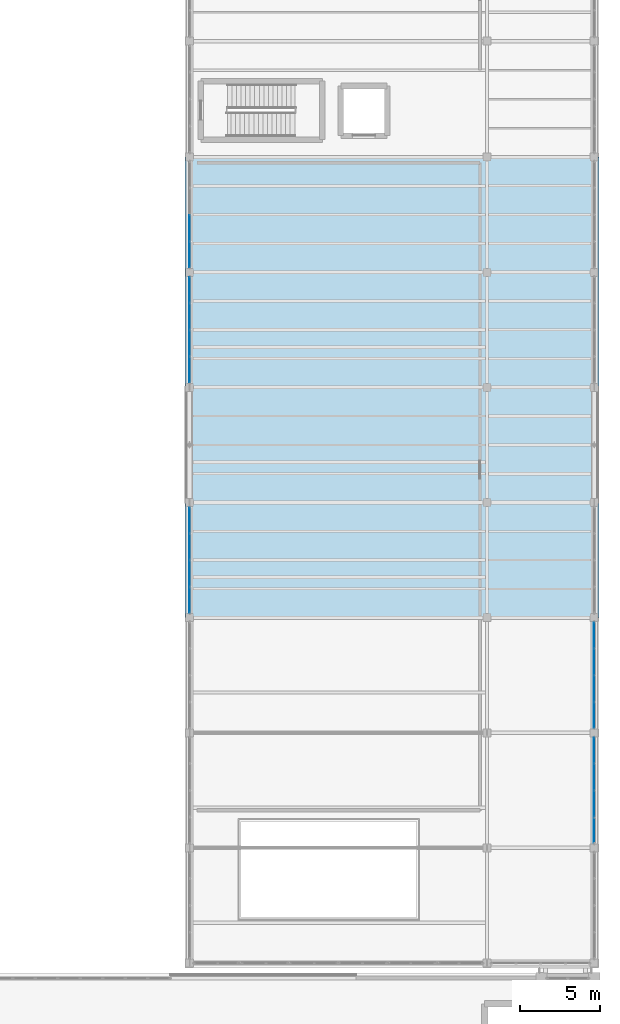
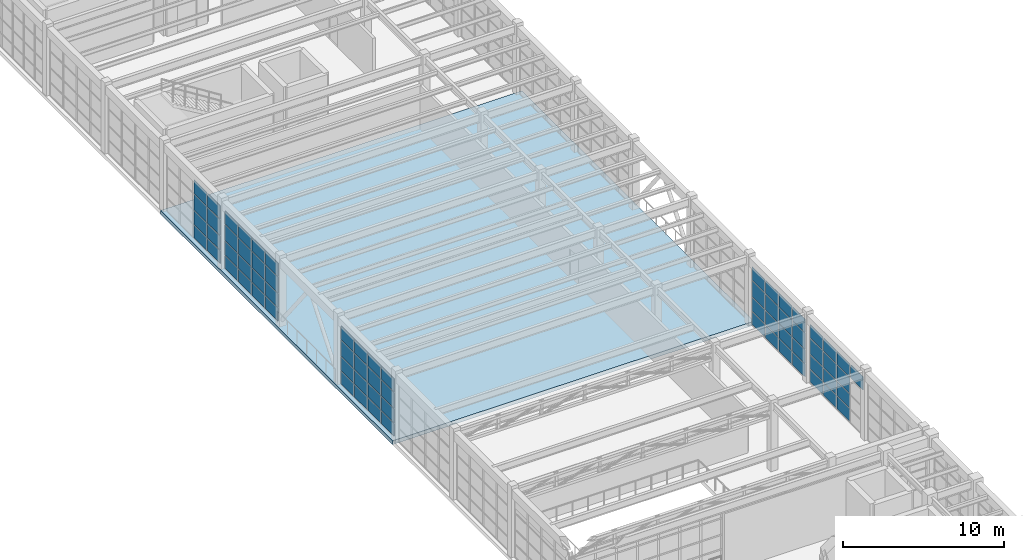
# One storey, part 80 of 103: 69 plates, 1 slab, 5 elements without a shape of their own.
"""IFC4 building model written with IfcOpenShell, lengths in metres."""

import ifcopenshell
import ifcopenshell.guid

model = None  # the IFC model being written
_history = None  # IfcOwnerHistory: only IFC2X3 demands one
_inside = {}  # id of a spatial element -> (the spatial element, [elements in it])
_under = {}  # id of a project, library or spatial element -> (it, [spatial elements below it])
_declared = {}  # id of a project -> (the project, [libraries it declares])
_typed = {}  # id of a type object -> (the type object, [elements of that type])
_made_of = {}  # id of a material, layer set ... -> (it, [elements and type objects made of it])


def new_model(schema):
    """Start an empty IFC model of exactly this schema.

    Asked for "IFC4X3", IfcOpenShell would pick the latest addendum, in which some entities
    have other attributes; the version numbers below select the first issue.
    IFC2X3 requires an IfcOwnerHistory on every rooted entity: one is made here for all.
    """
    global model, _history
    if schema == "IFC4X3":
        model = ifcopenshell.file(schema_version=(4, 3, 0, 0))
    else:
        model = ifcopenshell.file(schema=schema)
    _inside.clear()
    _under.clear()
    _declared.clear()
    _typed.clear()
    _made_of.clear()
    _history = None
    if model.schema == "IFC2X3":
        org = make("IfcOrganization", Name="unknown")
        user = make(
            "IfcPersonAndOrganization",
            ThePerson=make("IfcPerson", FamilyName="unknown"),
            TheOrganization=org,
        )
        app = make(
            "IfcApplication",
            ApplicationDeveloper=org,
            Version="unknown",
            ApplicationFullName="unknown",
            ApplicationIdentifier="unknown",
        )
        _history = make(
            "IfcOwnerHistory",
            OwningUser=user,
            OwningApplication=app,
            ChangeAction="ADDED",
            CreationDate=0,
        )
    return model


def make(cls, **values):
    """One entity of the class cls with the attributes given. An attribute that is None is left unset."""
    return model.create_entity(
        cls, **{name: value for name, value in values.items() if value is not None}
    )


def rooted(cls, **values):
    """An entity with a GlobalId (a new one), such as an element, a storey or a relation."""
    return make(cls, GlobalId=ifcopenshell.guid.new(), OwnerHistory=_history, **values)


def si_unit(unit_type, name, prefix=None):
    """IfcSIUnit, for example si_unit("LENGTHUNIT", "METRE", prefix="MILLI")."""
    return make("IfcSIUnit", UnitType=unit_type, Prefix=prefix, Name=name)


def assignment(units):
    """IfcUnitAssignment: the units of a project."""
    return None if units is None else make("IfcUnitAssignment", Units=units)


def point(xyz):
    """IfcCartesianPoint."""
    return None if xyz is None else make("IfcCartesianPoint", Coordinates=xyz)


def direction(xyz):
    """IfcDirection."""
    return None if xyz is None else make("IfcDirection", DirectionRatios=xyz)


def frame(location, z_axis=None, x_axis=None):
    """IfcAxis2Placement3D, a coordinate frame: its origin and axes. An axis left out is left unset."""
    return make(
        "IfcAxis2Placement3D",
        Location=point(location),
        Axis=direction(z_axis),
        RefDirection=direction(x_axis),
    )


def frame_2d(location, x_axis=None):
    """IfcAxis2Placement2D, a coordinate frame in the plane: its origin and x axis."""
    return make(
        "IfcAxis2Placement2D", Location=point(location), RefDirection=direction(x_axis)
    )


def origin():
    """The frame at (0, 0, 0) with its axes left unset."""
    return frame((0.0, 0.0, 0.0))


def origin_2d():
    """The frame at (0, 0) in the plane with its x axis left unset."""
    return frame_2d((0.0, 0.0))


def place(relative_to, where):
    """IfcLocalPlacement: puts the frame where relative to a parent placement (None: the world)."""
    return make(
        "IfcLocalPlacement", PlacementRelTo=relative_to, RelativePlacement=where
    )


def context(
    kind, dimensions, precision=None, world=None, true_north=None, identifier=None
):
    """IfcGeometricRepresentationContext, for example the 3D "Model" context."""
    return make(
        "IfcGeometricRepresentationContext",
        ContextIdentifier=identifier,
        ContextType=kind,
        CoordinateSpaceDimension=dimensions,
        Precision=precision,
        WorldCoordinateSystem=world,
        TrueNorth=true_north,
    )


def subcontext(parent, identifier, kind, view, scale=None):
    """IfcGeometricRepresentationSubContext, for example "Body" below "Model"."""
    return make(
        "IfcGeometricRepresentationSubContext",
        ContextIdentifier=identifier,
        ContextType=kind,
        ParentContext=parent,
        TargetScale=scale,
        TargetView=view,
    )


def project(units=None, contexts=None):
    """IfcProject with its units and contexts."""
    return rooted(
        "IfcProject",
        Name="project",
        RepresentationContexts=contexts,
        UnitsInContext=assignment(units),
    )


def spatial(cls, under=None, at=None, **own):
    """A site, building, storey or space (cls), placed at a placement, below another one or the project."""
    s = rooted(cls, ObjectPlacement=at, **own)
    if under is not None:
        _under.setdefault(under.id(), (under, []))[1].append(s)
    return s


def polyline(points):
    """IfcPolyline through the points."""
    return make("IfcPolyline", Points=[point(p) for p in points])


def profile(cls, at=None, kind="AREA", **sizes):
    """A parametric profile (cls). Its sizes go by their IFC names, for example OverallWidth=200.0."""
    return make(cls, ProfileType=kind, Position=at, **sizes)


def rectangle(**sizes):
    """IfcRectangleProfileDef."""
    return profile("IfcRectangleProfileDef", **sizes)


def outline(outer, holes=None, kind="AREA"):
    """IfcArbitraryClosedProfileDef: a profile drawn as a closed curve; with holes, ...WithVoids."""
    if holes is None:
        return make("IfcArbitraryClosedProfileDef", ProfileType=kind, OuterCurve=outer)
    return make(
        "IfcArbitraryProfileDefWithVoids",
        ProfileType=kind,
        OuterCurve=outer,
        InnerCurves=holes,
    )


def extrude(swept, where, along, depth):
    """IfcExtrudedAreaSolid: the profile swept, set in the frame where, extruded along a direction by depth."""
    return make(
        "IfcExtrudedAreaSolid",
        SweptArea=swept,
        Position=where,
        ExtrudedDirection=direction(along),
        Depth=depth,
    )


def shape(context_of_items, identifier, shape_type, items):
    """IfcShapeRepresentation: the items that make up one representation, for example the "Body"."""
    return make(
        "IfcShapeRepresentation",
        ContextOfItems=context_of_items,
        RepresentationIdentifier=identifier,
        RepresentationType=shape_type,
        Items=items,
    )


def material(Name=None, Category=None):
    """IfcMaterial."""
    return make("IfcMaterial", Name=Name, Category=Category)


def layer(
    of_material, thickness, ventilated=None, Name=None, Category=None, Priority=None
):
    """IfcMaterialLayer: one layer of a wall or slab, of a material (None: an air gap)."""
    return make(
        "IfcMaterialLayer",
        Material=of_material,
        LayerThickness=thickness,
        IsVentilated=ventilated,
        Name=Name,
        Category=Category,
        Priority=Priority,
    )


def layer_set(layers, Name=None):
    """IfcMaterialLayerSet."""
    return make("IfcMaterialLayerSet", MaterialLayers=layers, LayerSetName=Name)


def made_of(thing, what):
    """Note that an element or type object is made of a material, layer set ...; save() writes the relation."""
    if what is not None:
        _made_of.setdefault(what.id(), (what, []))[1].append(thing)
    return thing


def type_object(cls, material=None, **own):
    """A type object (cls), such as IfcWallType, which elements share."""
    return made_of(rooted(cls, **own), material)


def element(
    cls,
    number,
    at=None,
    inside=None,
    cuts=None,
    type_object=None,
    material=None,
    context=None,
    identifier="Body",
    shape_type=None,
    held_by="IfcProductDefinitionShape",
    body=None,
    shapes=None,
    **own,
):
    """One element of the class cls, such as IfcWall. Its Tag is "e" and its number.

    at: its placement. inside: the storey or other place that contains it. cuts: it is an
    opening in that element (IfcRelVoidsElement). A single representation is given by context,
    identifier, shape_type and body (its items); several are given by shapes. held_by: the class
    of the entity that holds the representations. save() writes the other relations.
    """
    e = rooted(cls, Tag="e%d" % number, ObjectPlacement=at, **own)
    if body is not None:
        shapes = [shape(context, identifier, shape_type, body)]
    if shapes is not None:
        e.Representation = make(held_by, Representations=shapes)
    if inside is not None:
        _inside.setdefault(inside.id(), (inside, []))[1].append(e)
    if cuts is not None:
        rooted(
            "IfcRelVoidsElement", RelatingBuildingElement=cuts, RelatedOpeningElement=e
        )
    if type_object is not None:
        _typed.setdefault(type_object.id(), (type_object, []))[1].append(e)
    return made_of(e, material)


def aggregate(whole, parts):
    """IfcRelAggregates: a whole, such as a stair, and the parts it consists of."""
    return rooted("IfcRelAggregates", RelatingObject=whole, RelatedObjects=parts)


def save(model, path):
    """Write the relations noted so far, then the file.

    IfcRelAggregates (storeys below a building ...), IfcRelContainedInSpatialStructure (elements
    in a storey), IfcRelDefinesByType, IfcRelAssociatesMaterial and IfcRelDeclares: one each for
    every whole, place, type object, material and project.
    """
    for whole, parts in _under.values():
        aggregate(whole, parts)
    for where, things in _inside.values():
        rooted(
            "IfcRelContainedInSpatialStructure",
            RelatedElements=things,
            RelatingStructure=where,
        )
    for kind, things in _typed.values():
        rooted("IfcRelDefinesByType", RelatedObjects=things, RelatingType=kind)
    for what, things in _made_of.values():
        rooted("IfcRelAssociatesMaterial", RelatedObjects=things, RelatingMaterial=what)
    for by, libraries in _declared.values():
        rooted("IfcRelDeclares", RelatingContext=by, RelatedDefinitions=libraries)
    model.write(path)


model = new_model("IFC4")

# Units and contexts
model_context = context("Model", 3, precision=1e-05, world=origin(), true_north=direction((0.0, 1.0)))
body_context = subcontext(model_context, "Body", "Model", "MODEL_VIEW")
ifc_project = project(units=[si_unit("LENGTHUNIT", "METRE"), si_unit("AREAUNIT", "SQUARE_METRE"), si_unit("VOLUMEUNIT", "CUBIC_METRE"), si_unit("PLANEANGLEUNIT", "RADIAN"), si_unit("MASSUNIT", "GRAM", prefix="KILO")], contexts=[model_context])

# Site, building, storey
site_placement = place(None, origin())
site = spatial("IfcSite", under=ifc_project, at=site_placement, CompositionType="ELEMENT")
building_placement = place(site_placement, origin())
building = spatial("IfcBuilding", under=site, at=building_placement, Name="Candilejo Ridge Gondola Terminal", CompositionType="ELEMENT")
storey_placement = place(building_placement, frame((0.0, 0.0, 9.0)))
storey = spatial("IfcBuildingStorey", under=building, at=storey_placement, Name="L02", CompositionType="ELEMENT", Elevation=9.0)

# Curtain wall, plates
ifc_material_1 = material(Name="Anodised aluminium AA 6063-T6", Category="aluminium")
ifc_layer_1 = layer(ifc_material_1, 0.169921875)
ifc_layer_set_1 = layer_set([ifc_layer_1], Name="ARC-CW-TOWER-3000-670X449")
curtain_wall_type = type_object("IfcCurtainWallType", Name="ARC-CW-TOWER-3000-670X449", PredefinedType="NOTDEFINED", material=ifc_layer_set_1)
curtain_wall_1_placement = place(storey_placement, origin())
curtain_wall_1 = element("IfcCurtainWall", 1, at=curtain_wall_1_placement, inside=storey, type_object=curtain_wall_type, Name="Curtain wall V5 L02-177", PredefinedType="NOTDEFINED")
ifc_material_2 = material(Name="Low-E laminated double glazing 6+12A+6+1.52PVB+6 mm", Category="glass")
ifc_layer_2 = layer(ifc_material_2, 0.028076171875)
ifc_layer_set_2 = layer_set([ifc_layer_2], Name="ARC-CW-GLAZ-PANEL")
plate_type = type_object("IfcPlateType", Name="ARC-CW-GLAZ-PANEL", PredefinedType="CURTAIN_PANEL", material=ifc_layer_set_2)
plate_1_placement = place(storey_placement, frame((175.300048828125, 56.953857421875, 3.429931640625), z_axis=(0.0, 0.0, 1.0), x_axis=(0.0, 1.0, 0.0)))
plate_1 = element("IfcPlate", 2, at=plate_1_placement, type_object=plate_type, Name="CW-67X44 panel 1.4", PredefinedType="CURTAIN_PANEL", context=body_context, shape_type="SweptSolid", body=[
    extrude(rectangle(XDim=1.577392578125, YDim=0.028076171875, at=origin_2d()), origin(), (0.0, 0.0, 1.0), 1.0),
])
plate_2_placement = place(storey_placement, frame((175.300048828125, 58.612548828125, 0.06005859375), z_axis=(0.0, 0.0, 1.0), x_axis=(0.0, 1.0, 0.0)))
plate_2 = element("IfcPlate", 3, at=plate_2_placement, type_object=plate_type, Name="CW-67X44 panel 2.1", PredefinedType="CURTAIN_PANEL", context=body_context, shape_type="SweptSolid", body=[
    extrude(rectangle(XDim=1.610107421875, YDim=0.028076171875, at=origin_2d()), origin(), (0.0, 0.0, 1.0), 0.9599609375),
])
plate_3_placement = place(storey_placement, frame((175.300048828125, 58.612548828125, 1.080078125), z_axis=(0.0, 0.0, 1.0), x_axis=(0.0, 1.0, 0.0)))
plate_3 = element("IfcPlate", 4, at=plate_3_placement, type_object=plate_type, Name="CW-67X44 panel 2.2", PredefinedType="CURTAIN_PANEL", context=body_context, shape_type="SweptSolid", body=[
    extrude(rectangle(XDim=1.610107421875, YDim=0.028076171875, at=origin_2d()), origin(), (0.0, 0.0, 1.0), 1.0400390625),
])
plate_4_placement = place(storey_placement, frame((175.300048828125, 58.612548828125, 2.179931640625), z_axis=(0.0, 0.0, 1.0), x_axis=(0.0, 1.0, 0.0)))
plate_4 = element("IfcPlate", 5, at=plate_4_placement, type_object=plate_type, Name="CW-67X44 panel 2.3", PredefinedType="CURTAIN_PANEL", context=body_context, shape_type="SweptSolid", body=[
    extrude(rectangle(XDim=1.610107421875, YDim=0.028076171875, at=origin_2d()), origin(), (0.0, 0.0, 1.0), 1.18994140625),
])
plate_5_placement = place(storey_placement, frame((175.300048828125, 58.612548828125, 3.429931640625), z_axis=(0.0, 0.0, 1.0), x_axis=(0.0, 1.0, 0.0)))
plate_5 = element("IfcPlate", 6, at=plate_5_placement, type_object=plate_type, Name="CW-67X44 panel 2.4", PredefinedType="CURTAIN_PANEL", context=body_context, shape_type="SweptSolid", body=[
    extrude(rectangle(XDim=1.610107421875, YDim=0.028076171875, at=origin_2d()), origin(), (0.0, 0.0, 1.0), 1.0),
])
plate_6_placement = place(storey_placement, frame((175.300048828125, 60.28759765625, 0.06005859375), z_axis=(0.0, 0.0, 1.0), x_axis=(0.0, 1.0, 0.0)))
plate_6 = element("IfcPlate", 7, at=plate_6_placement, type_object=plate_type, Name="CW-67X44 panel 3.1", PredefinedType="CURTAIN_PANEL", context=body_context, shape_type="SweptSolid", body=[
    extrude(rectangle(XDim=1.610107421875, YDim=0.028076171875, at=origin_2d()), origin(), (0.0, 0.0, 1.0), 0.9599609375),
])
plate_7_placement = place(storey_placement, frame((175.300048828125, 60.28759765625, 1.080078125), z_axis=(0.0, 0.0, 1.0), x_axis=(0.0, 1.0, 0.0)))
plate_7 = element("IfcPlate", 8, at=plate_7_placement, type_object=plate_type, Name="CW-67X44 panel 3.2", PredefinedType="CURTAIN_PANEL", context=body_context, shape_type="SweptSolid", body=[
    extrude(rectangle(XDim=1.610107421875, YDim=0.028076171875, at=origin_2d()), origin(), (0.0, 0.0, 1.0), 1.0400390625),
])
plate_8_placement = place(storey_placement, frame((175.300048828125, 60.28759765625, 2.179931640625), z_axis=(0.0, 0.0, 1.0), x_axis=(0.0, 1.0, 0.0)))
plate_8 = element("IfcPlate", 9, at=plate_8_placement, type_object=plate_type, Name="CW-67X44 panel 3.3", PredefinedType="CURTAIN_PANEL", context=body_context, shape_type="SweptSolid", body=[
    extrude(rectangle(XDim=1.610107421875, YDim=0.028076171875, at=origin_2d()), origin(), (0.0, 0.0, 1.0), 1.18994140625),
])
plate_9_placement = place(storey_placement, frame((175.300048828125, 60.28759765625, 3.429931640625), z_axis=(0.0, 0.0, 1.0), x_axis=(0.0, 1.0, 0.0)))
plate_9 = element("IfcPlate", 10, at=plate_9_placement, type_object=plate_type, Name="CW-67X44 panel 3.4", PredefinedType="CURTAIN_PANEL", context=body_context, shape_type="SweptSolid", body=[
    extrude(rectangle(XDim=1.610107421875, YDim=0.028076171875, at=origin_2d()), origin(), (0.0, 0.0, 1.0), 1.0),
])
plate_10_placement = place(storey_placement, frame((175.300048828125, 61.9462890625, 0.06005859375), z_axis=(0.0, 0.0, 1.0), x_axis=(0.0, 1.0, 0.0)))
plate_10 = element("IfcPlate", 11, at=plate_10_placement, type_object=plate_type, Name="CW-67X44 panel 4.1", PredefinedType="CURTAIN_PANEL", context=body_context, shape_type="SweptSolid", body=[
    extrude(rectangle(XDim=1.577392578125, YDim=0.028076171875, at=origin_2d()), origin(), (0.0, 0.0, 1.0), 0.9599609375),
])
plate_11_placement = place(storey_placement, frame((175.300048828125, 61.9462890625, 1.080078125), z_axis=(0.0, 0.0, 1.0), x_axis=(0.0, 1.0, 0.0)))
plate_11 = element("IfcPlate", 12, at=plate_11_placement, type_object=plate_type, Name="CW-67X44 panel 4.2", PredefinedType="CURTAIN_PANEL", context=body_context, shape_type="SweptSolid", body=[
    extrude(rectangle(XDim=1.577392578125, YDim=0.028076171875, at=origin_2d()), origin(), (0.0, 0.0, 1.0), 1.0400390625),
])
plate_12_placement = place(storey_placement, frame((175.300048828125, 61.9462890625, 2.179931640625), z_axis=(0.0, 0.0, 1.0), x_axis=(0.0, 1.0, 0.0)))
plate_12 = element("IfcPlate", 13, at=plate_12_placement, type_object=plate_type, Name="CW-67X44 panel 4.3", PredefinedType="CURTAIN_PANEL", context=body_context, shape_type="SweptSolid", body=[
    extrude(rectangle(XDim=1.577392578125, YDim=0.028076171875, at=origin_2d()), origin(), (0.0, 0.0, 1.0), 1.18994140625),
])
plate_13_placement = place(storey_placement, frame((175.300048828125, 61.9462890625, 3.429931640625), z_axis=(0.0, 0.0, 1.0), x_axis=(0.0, 1.0, 0.0)))
plate_13 = element("IfcPlate", 14, at=plate_13_placement, type_object=plate_type, Name="CW-67X44 panel 4.4", PredefinedType="CURTAIN_PANEL", context=body_context, shape_type="SweptSolid", body=[
    extrude(rectangle(XDim=1.577392578125, YDim=0.028076171875, at=origin_2d()), origin(), (0.0, 0.0, 1.0), 1.0),
])
aggregate(curtain_wall_1, [plate_1, plate_2, plate_3, plate_4, plate_5, plate_6, plate_7, plate_8, plate_9, plate_10, plate_11, plate_12, plate_13])

curtain_wall_2_placement = place(storey_placement, origin())
curtain_wall_2 = element("IfcCurtainWall", 15, at=curtain_wall_2_placement, inside=storey, type_object=curtain_wall_type, Name="Curtain wall V5 L02-179", PredefinedType="NOTDEFINED")
plate_14_placement = place(storey_placement, frame((175.300048828125, 64.15380859375, 0.06005859375), z_axis=(0.0, 0.0, 1.0), x_axis=(0.0, 1.0, 0.0)))
plate_14 = element("IfcPlate", 16, at=plate_14_placement, type_object=plate_type, Name="CW-67X44 panel 1.1", PredefinedType="CURTAIN_PANEL", context=body_context, shape_type="SweptSolid", body=[
    extrude(rectangle(XDim=1.577392578125, YDim=0.028076171875, at=origin_2d()), origin(), (0.0, 0.0, 1.0), 0.9599609375),
])
plate_15_placement = place(storey_placement, frame((175.300048828125, 64.15380859375, 1.080078125), z_axis=(0.0, 0.0, 1.0), x_axis=(0.0, 1.0, 0.0)))
plate_15 = element("IfcPlate", 17, at=plate_15_placement, type_object=plate_type, Name="CW-67X44 panel 1.2", PredefinedType="CURTAIN_PANEL", context=body_context, shape_type="SweptSolid", body=[
    extrude(rectangle(XDim=1.577392578125, YDim=0.028076171875, at=origin_2d()), origin(), (0.0, 0.0, 1.0), 1.0400390625),
])
plate_16_placement = place(storey_placement, frame((175.300048828125, 64.15380859375, 2.179931640625), z_axis=(0.0, 0.0, 1.0), x_axis=(0.0, 1.0, 0.0)))
plate_16 = element("IfcPlate", 18, at=plate_16_placement, type_object=plate_type, Name="CW-67X44 panel 1.3", PredefinedType="CURTAIN_PANEL", context=body_context, shape_type="SweptSolid", body=[
    extrude(rectangle(XDim=1.577392578125, YDim=0.028076171875, at=origin_2d()), origin(), (0.0, 0.0, 1.0), 1.18994140625),
])
plate_17_placement = place(storey_placement, frame((175.300048828125, 64.15380859375, 3.429931640625), z_axis=(0.0, 0.0, 1.0), x_axis=(0.0, 1.0, 0.0)))
plate_17 = element("IfcPlate", 19, at=plate_17_placement, type_object=plate_type, Name="CW-67X44 panel 1.4", PredefinedType="CURTAIN_PANEL", context=body_context, shape_type="SweptSolid", body=[
    extrude(rectangle(XDim=1.577392578125, YDim=0.028076171875, at=origin_2d()), origin(), (0.0, 0.0, 1.0), 1.0),
])
plate_18_placement = place(storey_placement, frame((175.300048828125, 65.8125, 0.06005859375), z_axis=(0.0, 0.0, 1.0), x_axis=(0.0, 1.0, 0.0)))
plate_18 = element("IfcPlate", 20, at=plate_18_placement, type_object=plate_type, Name="CW-67X44 panel 2.1", PredefinedType="CURTAIN_PANEL", context=body_context, shape_type="SweptSolid", body=[
    extrude(rectangle(XDim=1.610107421875, YDim=0.028076171875, at=origin_2d()), origin(), (0.0, 0.0, 1.0), 0.9599609375),
])
plate_19_placement = place(storey_placement, frame((175.300048828125, 65.8125, 1.080078125), z_axis=(0.0, 0.0, 1.0), x_axis=(0.0, 1.0, 0.0)))
plate_19 = element("IfcPlate", 21, at=plate_19_placement, type_object=plate_type, Name="CW-67X44 panel 2.2", PredefinedType="CURTAIN_PANEL", context=body_context, shape_type="SweptSolid", body=[
    extrude(rectangle(XDim=1.610107421875, YDim=0.028076171875, at=origin_2d()), origin(), (0.0, 0.0, 1.0), 1.0400390625),
])
plate_20_placement = place(storey_placement, frame((175.300048828125, 65.8125, 2.179931640625), z_axis=(0.0, 0.0, 1.0), x_axis=(0.0, 1.0, 0.0)))
plate_20 = element("IfcPlate", 22, at=plate_20_placement, type_object=plate_type, Name="CW-67X44 panel 2.3", PredefinedType="CURTAIN_PANEL", context=body_context, shape_type="SweptSolid", body=[
    extrude(rectangle(XDim=1.610107421875, YDim=0.028076171875, at=origin_2d()), origin(), (0.0, 0.0, 1.0), 1.18994140625),
])
plate_21_placement = place(storey_placement, frame((175.300048828125, 65.8125, 3.429931640625), z_axis=(0.0, 0.0, 1.0), x_axis=(0.0, 1.0, 0.0)))
plate_21 = element("IfcPlate", 23, at=plate_21_placement, type_object=plate_type, Name="CW-67X44 panel 2.4", PredefinedType="CURTAIN_PANEL", context=body_context, shape_type="SweptSolid", body=[
    extrude(rectangle(XDim=1.610107421875, YDim=0.028076171875, at=origin_2d()), origin(), (0.0, 0.0, 1.0), 1.0),
])
plate_22_placement = place(storey_placement, frame((175.300048828125, 67.487548828125, 0.06005859375), z_axis=(0.0, 0.0, 1.0), x_axis=(0.0, 1.0, 0.0)))
plate_22 = element("IfcPlate", 24, at=plate_22_placement, type_object=plate_type, Name="CW-67X44 panel 3.1", PredefinedType="CURTAIN_PANEL", context=body_context, shape_type="SweptSolid", body=[
    extrude(rectangle(XDim=1.610107421875, YDim=0.028076171875, at=origin_2d()), origin(), (0.0, 0.0, 1.0), 0.9599609375),
])
plate_23_placement = place(storey_placement, frame((175.300048828125, 67.487548828125, 1.080078125), z_axis=(0.0, 0.0, 1.0), x_axis=(0.0, 1.0, 0.0)))
plate_23 = element("IfcPlate", 25, at=plate_23_placement, type_object=plate_type, Name="CW-67X44 panel 3.2", PredefinedType="CURTAIN_PANEL", context=body_context, shape_type="SweptSolid", body=[
    extrude(rectangle(XDim=1.610107421875, YDim=0.028076171875, at=origin_2d()), origin(), (0.0, 0.0, 1.0), 1.0400390625),
])
plate_24_placement = place(storey_placement, frame((175.300048828125, 67.487548828125, 2.179931640625), z_axis=(0.0, 0.0, 1.0), x_axis=(0.0, 1.0, 0.0)))
plate_24 = element("IfcPlate", 26, at=plate_24_placement, type_object=plate_type, Name="CW-67X44 panel 3.3", PredefinedType="CURTAIN_PANEL", context=body_context, shape_type="SweptSolid", body=[
    extrude(rectangle(XDim=1.610107421875, YDim=0.028076171875, at=origin_2d()), origin(), (0.0, 0.0, 1.0), 1.18994140625),
])
plate_25_placement = place(storey_placement, frame((175.300048828125, 67.487548828125, 3.429931640625), z_axis=(0.0, 0.0, 1.0), x_axis=(0.0, 1.0, 0.0)))
plate_25 = element("IfcPlate", 27, at=plate_25_placement, type_object=plate_type, Name="CW-67X44 panel 3.4", PredefinedType="CURTAIN_PANEL", context=body_context, shape_type="SweptSolid", body=[
    extrude(rectangle(XDim=1.610107421875, YDim=0.028076171875, at=origin_2d()), origin(), (0.0, 0.0, 1.0), 1.0),
])
plate_26_placement = place(storey_placement, frame((175.300048828125, 69.146240234375, 0.06005859375), z_axis=(0.0, 0.0, 1.0), x_axis=(0.0, 1.0, 0.0)))
plate_26 = element("IfcPlate", 28, at=plate_26_placement, type_object=plate_type, Name="CW-67X44 panel 4.1", PredefinedType="CURTAIN_PANEL", context=body_context, shape_type="SweptSolid", body=[
    extrude(rectangle(XDim=1.577392578125, YDim=0.028076171875, at=origin_2d()), origin(), (0.0, 0.0, 1.0), 0.9599609375),
])
plate_27_placement = place(storey_placement, frame((175.300048828125, 69.146240234375, 1.080078125), z_axis=(0.0, 0.0, 1.0), x_axis=(0.0, 1.0, 0.0)))
plate_27 = element("IfcPlate", 29, at=plate_27_placement, type_object=plate_type, Name="CW-67X44 panel 4.2", PredefinedType="CURTAIN_PANEL", context=body_context, shape_type="SweptSolid", body=[
    extrude(rectangle(XDim=1.577392578125, YDim=0.028076171875, at=origin_2d()), origin(), (0.0, 0.0, 1.0), 1.0400390625),
])
plate_28_placement = place(storey_placement, frame((175.300048828125, 69.146240234375, 2.179931640625), z_axis=(0.0, 0.0, 1.0), x_axis=(0.0, 1.0, 0.0)))
plate_28 = element("IfcPlate", 30, at=plate_28_placement, type_object=plate_type, Name="CW-67X44 panel 4.3", PredefinedType="CURTAIN_PANEL", context=body_context, shape_type="SweptSolid", body=[
    extrude(rectangle(XDim=1.577392578125, YDim=0.028076171875, at=origin_2d()), origin(), (0.0, 0.0, 1.0), 1.18994140625),
])
plate_29_placement = place(storey_placement, frame((175.300048828125, 69.146240234375, 3.429931640625), z_axis=(0.0, 0.0, 1.0), x_axis=(0.0, 1.0, 0.0)))
plate_29 = element("IfcPlate", 31, at=plate_29_placement, type_object=plate_type, Name="CW-67X44 panel 4.4", PredefinedType="CURTAIN_PANEL", context=body_context, shape_type="SweptSolid", body=[
    extrude(rectangle(XDim=1.577392578125, YDim=0.028076171875, at=origin_2d()), origin(), (0.0, 0.0, 1.0), 1.0),
])
aggregate(curtain_wall_2, [plate_14, plate_15, plate_16, plate_17, plate_18, plate_19, plate_20, plate_21, plate_22, plate_23, plate_24, plate_25, plate_26, plate_27, plate_28, plate_29])

curtain_wall_3_placement = place(storey_placement, origin())
curtain_wall_3 = element("IfcCurtainWall", 32, at=curtain_wall_3_placement, inside=storey, type_object=curtain_wall_type, Name="Curtain wall V5 L02-180", PredefinedType="NOTDEFINED")
plate_30_placement = place(storey_placement, frame((150.0, 71.353759765625, 0.06005859375), z_axis=(0.0, 0.0, 1.0), x_axis=(0.0, 1.0, 0.0)))
plate_30 = element("IfcPlate", 33, at=plate_30_placement, type_object=plate_type, Name="CW-67X44 panel 1.1", PredefinedType="CURTAIN_PANEL", context=body_context, shape_type="SweptSolid", body=[
    extrude(rectangle(XDim=1.577392578125, YDim=0.028076171875, at=origin_2d()), origin(), (0.0, 0.0, 1.0), 0.9599609375),
])
plate_31_placement = place(storey_placement, frame((150.0, 71.353759765625, 1.080078125), z_axis=(0.0, 0.0, 1.0), x_axis=(0.0, 1.0, 0.0)))
plate_31 = element("IfcPlate", 34, at=plate_31_placement, type_object=plate_type, Name="CW-67X44 panel 1.2", PredefinedType="CURTAIN_PANEL", context=body_context, shape_type="SweptSolid", body=[
    extrude(rectangle(XDim=1.577392578125, YDim=0.028076171875, at=origin_2d()), origin(), (0.0, 0.0, 1.0), 1.0400390625),
])
plate_32_placement = place(storey_placement, frame((150.0, 71.353759765625, 2.179931640625), z_axis=(0.0, 0.0, 1.0), x_axis=(0.0, 1.0, 0.0)))
plate_32 = element("IfcPlate", 35, at=plate_32_placement, type_object=plate_type, Name="CW-67X44 panel 1.3", PredefinedType="CURTAIN_PANEL", context=body_context, shape_type="SweptSolid", body=[
    extrude(rectangle(XDim=1.577392578125, YDim=0.028076171875, at=origin_2d()), origin(), (0.0, 0.0, 1.0), 1.18994140625),
])
plate_33_placement = place(storey_placement, frame((150.0, 71.353759765625, 3.429931640625), z_axis=(0.0, 0.0, 1.0), x_axis=(0.0, 1.0, 0.0)))
plate_33 = element("IfcPlate", 36, at=plate_33_placement, type_object=plate_type, Name="CW-67X44 panel 1.4", PredefinedType="CURTAIN_PANEL", context=body_context, shape_type="SweptSolid", body=[
    extrude(rectangle(XDim=1.577392578125, YDim=0.028076171875, at=origin_2d()), origin(), (0.0, 0.0, 1.0), 1.0),
])
plate_34_placement = place(storey_placement, frame((150.0, 73.012451171875, 0.06005859375), z_axis=(0.0, 0.0, 1.0), x_axis=(0.0, 1.0, 0.0)))
plate_34 = element("IfcPlate", 37, at=plate_34_placement, type_object=plate_type, Name="CW-67X44 panel 2.1", PredefinedType="CURTAIN_PANEL", context=body_context, shape_type="SweptSolid", body=[
    extrude(rectangle(XDim=1.610107421875, YDim=0.028076171875, at=origin_2d()), origin(), (0.0, 0.0, 1.0), 0.9599609375),
])
plate_35_placement = place(storey_placement, frame((150.0, 73.012451171875, 1.080078125), z_axis=(0.0, 0.0, 1.0), x_axis=(0.0, 1.0, 0.0)))
plate_35 = element("IfcPlate", 38, at=plate_35_placement, type_object=plate_type, Name="CW-67X44 panel 2.2", PredefinedType="CURTAIN_PANEL", context=body_context, shape_type="SweptSolid", body=[
    extrude(rectangle(XDim=1.610107421875, YDim=0.028076171875, at=origin_2d()), origin(), (0.0, 0.0, 1.0), 1.0400390625),
])
plate_36_placement = place(storey_placement, frame((150.0, 73.012451171875, 2.179931640625), z_axis=(0.0, 0.0, 1.0), x_axis=(0.0, 1.0, 0.0)))
plate_36 = element("IfcPlate", 39, at=plate_36_placement, type_object=plate_type, Name="CW-67X44 panel 2.3", PredefinedType="CURTAIN_PANEL", context=body_context, shape_type="SweptSolid", body=[
    extrude(rectangle(XDim=1.610107421875, YDim=0.028076171875, at=origin_2d()), origin(), (0.0, 0.0, 1.0), 1.18994140625),
])
plate_37_placement = place(storey_placement, frame((150.0, 73.012451171875, 3.429931640625), z_axis=(0.0, 0.0, 1.0), x_axis=(0.0, 1.0, 0.0)))
plate_37 = element("IfcPlate", 40, at=plate_37_placement, type_object=plate_type, Name="CW-67X44 panel 2.4", PredefinedType="CURTAIN_PANEL", context=body_context, shape_type="SweptSolid", body=[
    extrude(rectangle(XDim=1.610107421875, YDim=0.028076171875, at=origin_2d()), origin(), (0.0, 0.0, 1.0), 1.0),
])
plate_38_placement = place(storey_placement, frame((150.0, 74.6875, 0.06005859375), z_axis=(0.0, 0.0, 1.0), x_axis=(0.0, 1.0, 0.0)))
plate_38 = element("IfcPlate", 41, at=plate_38_placement, type_object=plate_type, Name="CW-67X44 panel 3.1", PredefinedType="CURTAIN_PANEL", context=body_context, shape_type="SweptSolid", body=[
    extrude(rectangle(XDim=1.610107421875, YDim=0.028076171875, at=origin_2d()), origin(), (0.0, 0.0, 1.0), 0.9599609375),
])
plate_39_placement = place(storey_placement, frame((150.0, 74.6875, 1.080078125), z_axis=(0.0, 0.0, 1.0), x_axis=(0.0, 1.0, 0.0)))
plate_39 = element("IfcPlate", 42, at=plate_39_placement, type_object=plate_type, Name="CW-67X44 panel 3.2", PredefinedType="CURTAIN_PANEL", context=body_context, shape_type="SweptSolid", body=[
    extrude(rectangle(XDim=1.610107421875, YDim=0.028076171875, at=origin_2d()), origin(), (0.0, 0.0, 1.0), 1.0400390625),
])
plate_40_placement = place(storey_placement, frame((150.0, 74.6875, 2.179931640625), z_axis=(0.0, 0.0, 1.0), x_axis=(0.0, 1.0, 0.0)))
plate_40 = element("IfcPlate", 43, at=plate_40_placement, type_object=plate_type, Name="CW-67X44 panel 3.3", PredefinedType="CURTAIN_PANEL", context=body_context, shape_type="SweptSolid", body=[
    extrude(rectangle(XDim=1.610107421875, YDim=0.028076171875, at=origin_2d()), origin(), (0.0, 0.0, 1.0), 1.18994140625),
])
plate_41_placement = place(storey_placement, frame((150.0, 74.6875, 3.429931640625), z_axis=(0.0, 0.0, 1.0), x_axis=(0.0, 1.0, 0.0)))
plate_41 = element("IfcPlate", 44, at=plate_41_placement, type_object=plate_type, Name="CW-67X44 panel 3.4", PredefinedType="CURTAIN_PANEL", context=body_context, shape_type="SweptSolid", body=[
    extrude(rectangle(XDim=1.610107421875, YDim=0.028076171875, at=origin_2d()), origin(), (0.0, 0.0, 1.0), 1.0),
])
plate_42_placement = place(storey_placement, frame((150.0, 76.34619140625, 0.06005859375), z_axis=(0.0, 0.0, 1.0), x_axis=(0.0, 1.0, 0.0)))
plate_42 = element("IfcPlate", 45, at=plate_42_placement, type_object=plate_type, Name="CW-67X44 panel 4.1", PredefinedType="CURTAIN_PANEL", context=body_context, shape_type="SweptSolid", body=[
    extrude(rectangle(XDim=1.577392578125, YDim=0.028076171875, at=origin_2d()), origin(), (0.0, 0.0, 1.0), 0.9599609375),
])
plate_43_placement = place(storey_placement, frame((150.0, 76.34619140625, 1.080078125), z_axis=(0.0, 0.0, 1.0), x_axis=(0.0, 1.0, 0.0)))
plate_43 = element("IfcPlate", 46, at=plate_43_placement, type_object=plate_type, Name="CW-67X44 panel 4.2", PredefinedType="CURTAIN_PANEL", context=body_context, shape_type="SweptSolid", body=[
    extrude(rectangle(XDim=1.577392578125, YDim=0.028076171875, at=origin_2d()), origin(), (0.0, 0.0, 1.0), 1.0400390625),
])
plate_44_placement = place(storey_placement, frame((150.0, 76.34619140625, 2.179931640625), z_axis=(0.0, 0.0, 1.0), x_axis=(0.0, 1.0, 0.0)))
plate_44 = element("IfcPlate", 47, at=plate_44_placement, type_object=plate_type, Name="CW-67X44 panel 4.3", PredefinedType="CURTAIN_PANEL", context=body_context, shape_type="SweptSolid", body=[
    extrude(rectangle(XDim=1.577392578125, YDim=0.028076171875, at=origin_2d()), origin(), (0.0, 0.0, 1.0), 1.18994140625),
])
plate_45_placement = place(storey_placement, frame((150.0, 76.34619140625, 3.429931640625), z_axis=(0.0, 0.0, 1.0), x_axis=(0.0, 1.0, 0.0)))
plate_45 = element("IfcPlate", 48, at=plate_45_placement, type_object=plate_type, Name="CW-67X44 panel 4.4", PredefinedType="CURTAIN_PANEL", context=body_context, shape_type="SweptSolid", body=[
    extrude(rectangle(XDim=1.577392578125, YDim=0.028076171875, at=origin_2d()), origin(), (0.0, 0.0, 1.0), 1.0),
])
aggregate(curtain_wall_3, [plate_30, plate_31, plate_32, plate_33, plate_34, plate_35, plate_36, plate_37, plate_38, plate_39, plate_40, plate_41, plate_42, plate_43, plate_44, plate_45])

curtain_wall_4_placement = place(storey_placement, origin())
curtain_wall_4 = element("IfcCurtainWall", 49, at=curtain_wall_4_placement, inside=storey, type_object=curtain_wall_type, Name="Curtain wall V5 L02-182", PredefinedType="NOTDEFINED")
plate_46_placement = place(storey_placement, frame((150.0, 85.753662109375, 0.06005859375), z_axis=(0.0, 0.0, 1.0), x_axis=(0.0, 1.0, 0.0)))
plate_46 = element("IfcPlate", 50, at=plate_46_placement, type_object=plate_type, Name="CW-67X44 panel 1.1", PredefinedType="CURTAIN_PANEL", context=body_context, shape_type="SweptSolid", body=[
    extrude(rectangle(XDim=1.577392578125, YDim=0.028076171875, at=origin_2d()), origin(), (0.0, 0.0, 1.0), 0.9599609375),
])
plate_47_placement = place(storey_placement, frame((150.0, 85.753662109375, 1.080078125), z_axis=(0.0, 0.0, 1.0), x_axis=(0.0, 1.0, 0.0)))
plate_47 = element("IfcPlate", 51, at=plate_47_placement, type_object=plate_type, Name="CW-67X44 panel 1.2", PredefinedType="CURTAIN_PANEL", context=body_context, shape_type="SweptSolid", body=[
    extrude(rectangle(XDim=1.577392578125, YDim=0.028076171875, at=origin_2d()), origin(), (0.0, 0.0, 1.0), 1.0400390625),
])
plate_48_placement = place(storey_placement, frame((150.0, 85.753662109375, 2.179931640625), z_axis=(0.0, 0.0, 1.0), x_axis=(0.0, 1.0, 0.0)))
plate_48 = element("IfcPlate", 52, at=plate_48_placement, type_object=plate_type, Name="CW-67X44 panel 1.3", PredefinedType="CURTAIN_PANEL", context=body_context, shape_type="SweptSolid", body=[
    extrude(rectangle(XDim=1.577392578125, YDim=0.028076171875, at=origin_2d()), origin(), (0.0, 0.0, 1.0), 1.18994140625),
])
plate_49_placement = place(storey_placement, frame((150.0, 85.753662109375, 3.429931640625), z_axis=(0.0, 0.0, 1.0), x_axis=(0.0, 1.0, 0.0)))
plate_49 = element("IfcPlate", 53, at=plate_49_placement, type_object=plate_type, Name="CW-67X44 panel 1.4", PredefinedType="CURTAIN_PANEL", context=body_context, shape_type="SweptSolid", body=[
    extrude(rectangle(XDim=1.577392578125, YDim=0.028076171875, at=origin_2d()), origin(), (0.0, 0.0, 1.0), 1.0),
])
plate_50_placement = place(storey_placement, frame((150.0, 87.41259765625, 0.06005859375), z_axis=(0.0, 0.0, 1.0), x_axis=(0.0, 1.0, 0.0)))
plate_50 = element("IfcPlate", 54, at=plate_50_placement, type_object=plate_type, Name="CW-67X44 panel 2.1", PredefinedType="CURTAIN_PANEL", context=body_context, shape_type="SweptSolid", body=[
    extrude(rectangle(XDim=1.610107421875, YDim=0.028076171875, at=origin_2d()), origin(), (0.0, 0.0, 1.0), 0.9599609375),
])
plate_51_placement = place(storey_placement, frame((150.0, 87.41259765625, 1.080078125), z_axis=(0.0, 0.0, 1.0), x_axis=(0.0, 1.0, 0.0)))
plate_51 = element("IfcPlate", 55, at=plate_51_placement, type_object=plate_type, Name="CW-67X44 panel 2.2", PredefinedType="CURTAIN_PANEL", context=body_context, shape_type="SweptSolid", body=[
    extrude(rectangle(XDim=1.610107421875, YDim=0.028076171875, at=origin_2d()), origin(), (0.0, 0.0, 1.0), 1.0400390625),
])
plate_52_placement = place(storey_placement, frame((150.0, 87.41259765625, 2.179931640625), z_axis=(0.0, 0.0, 1.0), x_axis=(0.0, 1.0, 0.0)))
plate_52 = element("IfcPlate", 56, at=plate_52_placement, type_object=plate_type, Name="CW-67X44 panel 2.3", PredefinedType="CURTAIN_PANEL", context=body_context, shape_type="SweptSolid", body=[
    extrude(rectangle(XDim=1.610107421875, YDim=0.028076171875, at=origin_2d()), origin(), (0.0, 0.0, 1.0), 1.18994140625),
])
plate_53_placement = place(storey_placement, frame((150.0, 87.41259765625, 3.429931640625), z_axis=(0.0, 0.0, 1.0), x_axis=(0.0, 1.0, 0.0)))
plate_53 = element("IfcPlate", 57, at=plate_53_placement, type_object=plate_type, Name="CW-67X44 panel 2.4", PredefinedType="CURTAIN_PANEL", context=body_context, shape_type="SweptSolid", body=[
    extrude(rectangle(XDim=1.610107421875, YDim=0.028076171875, at=origin_2d()), origin(), (0.0, 0.0, 1.0), 1.0),
])
plate_54_placement = place(storey_placement, frame((150.0, 89.08740234375, 0.06005859375), z_axis=(0.0, 0.0, 1.0), x_axis=(0.0, 1.0, 0.0)))
plate_54 = element("IfcPlate", 58, at=plate_54_placement, type_object=plate_type, Name="CW-67X44 panel 3.1", PredefinedType="CURTAIN_PANEL", context=body_context, shape_type="SweptSolid", body=[
    extrude(rectangle(XDim=1.610107421875, YDim=0.028076171875, at=origin_2d()), origin(), (0.0, 0.0, 1.0), 0.9599609375),
])
plate_55_placement = place(storey_placement, frame((150.0, 89.08740234375, 1.080078125), z_axis=(0.0, 0.0, 1.0), x_axis=(0.0, 1.0, 0.0)))
plate_55 = element("IfcPlate", 59, at=plate_55_placement, type_object=plate_type, Name="CW-67X44 panel 3.2", PredefinedType="CURTAIN_PANEL", context=body_context, shape_type="SweptSolid", body=[
    extrude(rectangle(XDim=1.610107421875, YDim=0.028076171875, at=origin_2d()), origin(), (0.0, 0.0, 1.0), 1.0400390625),
])
plate_56_placement = place(storey_placement, frame((150.0, 89.08740234375, 2.179931640625), z_axis=(0.0, 0.0, 1.0), x_axis=(0.0, 1.0, 0.0)))
plate_56 = element("IfcPlate", 60, at=plate_56_placement, type_object=plate_type, Name="CW-67X44 panel 3.3", PredefinedType="CURTAIN_PANEL", context=body_context, shape_type="SweptSolid", body=[
    extrude(rectangle(XDim=1.610107421875, YDim=0.028076171875, at=origin_2d()), origin(), (0.0, 0.0, 1.0), 1.18994140625),
])
plate_57_placement = place(storey_placement, frame((150.0, 89.08740234375, 3.429931640625), z_axis=(0.0, 0.0, 1.0), x_axis=(0.0, 1.0, 0.0)))
plate_57 = element("IfcPlate", 61, at=plate_57_placement, type_object=plate_type, Name="CW-67X44 panel 3.4", PredefinedType="CURTAIN_PANEL", context=body_context, shape_type="SweptSolid", body=[
    extrude(rectangle(XDim=1.610107421875, YDim=0.028076171875, at=origin_2d()), origin(), (0.0, 0.0, 1.0), 1.0),
])
plate_58_placement = place(storey_placement, frame((150.0, 90.746337890625, 0.06005859375), z_axis=(0.0, 0.0, 1.0), x_axis=(0.0, 1.0, 0.0)))
plate_58 = element("IfcPlate", 62, at=plate_58_placement, type_object=plate_type, Name="CW-67X44 panel 4.1", PredefinedType="CURTAIN_PANEL", context=body_context, shape_type="SweptSolid", body=[
    extrude(rectangle(XDim=1.577392578125, YDim=0.028076171875, at=origin_2d()), origin(), (0.0, 0.0, 1.0), 0.9599609375),
])
plate_59_placement = place(storey_placement, frame((150.0, 90.746337890625, 1.080078125), z_axis=(0.0, 0.0, 1.0), x_axis=(0.0, 1.0, 0.0)))
plate_59 = element("IfcPlate", 63, at=plate_59_placement, type_object=plate_type, Name="CW-67X44 panel 4.2", PredefinedType="CURTAIN_PANEL", context=body_context, shape_type="SweptSolid", body=[
    extrude(rectangle(XDim=1.577392578125, YDim=0.028076171875, at=origin_2d()), origin(), (0.0, 0.0, 1.0), 1.0400390625),
])
plate_60_placement = place(storey_placement, frame((150.0, 90.746337890625, 2.179931640625), z_axis=(0.0, 0.0, 1.0), x_axis=(0.0, 1.0, 0.0)))
plate_60 = element("IfcPlate", 64, at=plate_60_placement, type_object=plate_type, Name="CW-67X44 panel 4.3", PredefinedType="CURTAIN_PANEL", context=body_context, shape_type="SweptSolid", body=[
    extrude(rectangle(XDim=1.577392578125, YDim=0.028076171875, at=origin_2d()), origin(), (0.0, 0.0, 1.0), 1.18994140625),
])
plate_61_placement = place(storey_placement, frame((150.0, 90.746337890625, 3.429931640625), z_axis=(0.0, 0.0, 1.0), x_axis=(0.0, 1.0, 0.0)))
plate_61 = element("IfcPlate", 65, at=plate_61_placement, type_object=plate_type, Name="CW-67X44 panel 4.4", PredefinedType="CURTAIN_PANEL", context=body_context, shape_type="SweptSolid", body=[
    extrude(rectangle(XDim=1.577392578125, YDim=0.028076171875, at=origin_2d()), origin(), (0.0, 0.0, 1.0), 1.0),
])
aggregate(curtain_wall_4, [plate_46, plate_47, plate_48, plate_49, plate_50, plate_51, plate_52, plate_53, plate_54, plate_55, plate_56, plate_57, plate_58, plate_59, plate_60, plate_61])

curtain_wall_5_placement = place(storey_placement, origin())
curtain_wall_5 = element("IfcCurtainWall", 66, at=curtain_wall_5_placement, inside=storey, type_object=curtain_wall_type, Name="Curtain wall V5 L02-184", PredefinedType="NOTDEFINED")
plate_62_placement = place(storey_placement, frame((150.0, 92.953857421875, 0.06005859375), z_axis=(0.0, 0.0, 1.0), x_axis=(0.0, 1.0, 0.0)))
plate_62 = element("IfcPlate", 67, at=plate_62_placement, type_object=plate_type, Name="CW-67X44 panel 1.1", PredefinedType="CURTAIN_PANEL", context=body_context, shape_type="SweptSolid", body=[
    extrude(rectangle(XDim=1.577392578125, YDim=0.028076171875, at=origin_2d()), origin(), (0.0, 0.0, 1.0), 0.9599609375),
])
plate_63_placement = place(storey_placement, frame((150.0, 92.953857421875, 1.080078125), z_axis=(0.0, 0.0, 1.0), x_axis=(0.0, 1.0, 0.0)))
plate_63 = element("IfcPlate", 68, at=plate_63_placement, type_object=plate_type, Name="CW-67X44 panel 1.2", PredefinedType="CURTAIN_PANEL", context=body_context, shape_type="SweptSolid", body=[
    extrude(rectangle(XDim=1.577392578125, YDim=0.028076171875, at=origin_2d()), origin(), (0.0, 0.0, 1.0), 1.0400390625),
])
plate_64_placement = place(storey_placement, frame((150.0, 92.953857421875, 2.179931640625), z_axis=(0.0, 0.0, 1.0), x_axis=(0.0, 1.0, 0.0)))
plate_64 = element("IfcPlate", 69, at=plate_64_placement, type_object=plate_type, Name="CW-67X44 panel 1.3", PredefinedType="CURTAIN_PANEL", context=body_context, shape_type="SweptSolid", body=[
    extrude(rectangle(XDim=1.577392578125, YDim=0.028076171875, at=origin_2d()), origin(), (0.0, 0.0, 1.0), 1.18994140625),
])
plate_65_placement = place(storey_placement, frame((150.0, 92.953857421875, 3.429931640625), z_axis=(0.0, 0.0, 1.0), x_axis=(0.0, 1.0, 0.0)))
plate_65 = element("IfcPlate", 70, at=plate_65_placement, type_object=plate_type, Name="CW-67X44 panel 1.4", PredefinedType="CURTAIN_PANEL", context=body_context, shape_type="SweptSolid", body=[
    extrude(rectangle(XDim=1.577392578125, YDim=0.028076171875, at=origin_2d()), origin(), (0.0, 0.0, 1.0), 1.0),
])
plate_66_placement = place(storey_placement, frame((150.0, 94.612548828125, 0.06005859375), z_axis=(0.0, 0.0, 1.0), x_axis=(0.0, 1.0, 0.0)))
plate_66 = element("IfcPlate", 71, at=plate_66_placement, type_object=plate_type, Name="CW-67X44 panel 2.1", PredefinedType="CURTAIN_PANEL", context=body_context, shape_type="SweptSolid", body=[
    extrude(rectangle(XDim=1.610107421875, YDim=0.028076171875, at=origin_2d()), origin(), (0.0, 0.0, 1.0), 0.9599609375),
])
plate_67_placement = place(storey_placement, frame((150.0, 94.612548828125, 1.080078125), z_axis=(0.0, 0.0, 1.0), x_axis=(0.0, 1.0, 0.0)))
plate_67 = element("IfcPlate", 72, at=plate_67_placement, type_object=plate_type, Name="CW-67X44 panel 2.2", PredefinedType="CURTAIN_PANEL", context=body_context, shape_type="SweptSolid", body=[
    extrude(rectangle(XDim=1.610107421875, YDim=0.028076171875, at=origin_2d()), origin(), (0.0, 0.0, 1.0), 1.0400390625),
])
plate_68_placement = place(storey_placement, frame((150.0, 94.612548828125, 2.179931640625), z_axis=(0.0, 0.0, 1.0), x_axis=(0.0, 1.0, 0.0)))
plate_68 = element("IfcPlate", 73, at=plate_68_placement, type_object=plate_type, Name="CW-67X44 panel 2.3", PredefinedType="CURTAIN_PANEL", context=body_context, shape_type="SweptSolid", body=[
    extrude(rectangle(XDim=1.610107421875, YDim=0.028076171875, at=origin_2d()), origin(), (0.0, 0.0, 1.0), 1.18994140625),
])
plate_69_placement = place(storey_placement, frame((150.0, 94.612548828125, 3.429931640625), z_axis=(0.0, 0.0, 1.0), x_axis=(0.0, 1.0, 0.0)))
plate_69 = element("IfcPlate", 74, at=plate_69_placement, type_object=plate_type, Name="CW-67X44 panel 2.4", PredefinedType="CURTAIN_PANEL", context=body_context, shape_type="SweptSolid", body=[
    extrude(rectangle(XDim=1.610107421875, YDim=0.028076171875, at=origin_2d()), origin(), (0.0, 0.0, 1.0), 1.0),
])
aggregate(curtain_wall_5, [plate_62, plate_63, plate_64, plate_65, plate_66, plate_67, plate_68, plate_69])

# Slab
ifc_material_3 = material(Name="Concrete f'c 35 MPa (C35/45)", Category="concrete")
ifc_layer_3 = layer(ifc_material_3, 0.284912109375)
ifc_layer_set_3 = layer_set([ifc_layer_3], Name="STR-FLOOR-SLAB-285")
slab_type = type_object("IfcSlabType", Name="STR-FLOOR-SLAB-285", PredefinedType="FLOOR", material=ifc_layer_set_3)
slab_placement = place(storey_placement, frame((0.0, 0.0, -0.284912109375)))
element("IfcSlab", 75, at=slab_placement, inside=storey, type_object=slab_type, Name="Slab SLB-V5-L02-M", PredefinedType="FLOOR", context=body_context, shape_type="SweptSolid", body=[
    extrude(outline(polyline([(149.699951171875, 70.25), (175.60009765625, 70.25), (175.60009765625, 99.050048828125), (149.699951171875, 99.050048828125), (149.699951171875, 70.25)])), origin(), (0.0, 0.0, 1.0), 0.284912109375),
])

save(model, "model.ifc")
